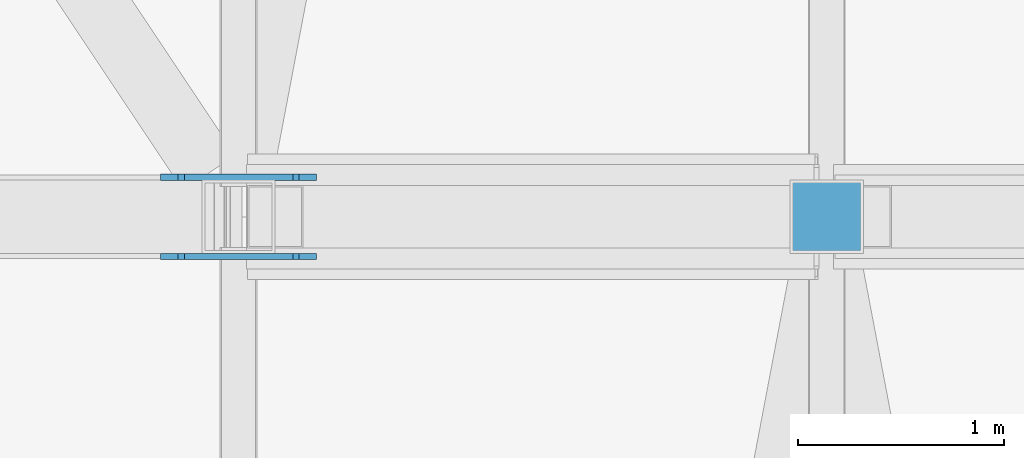
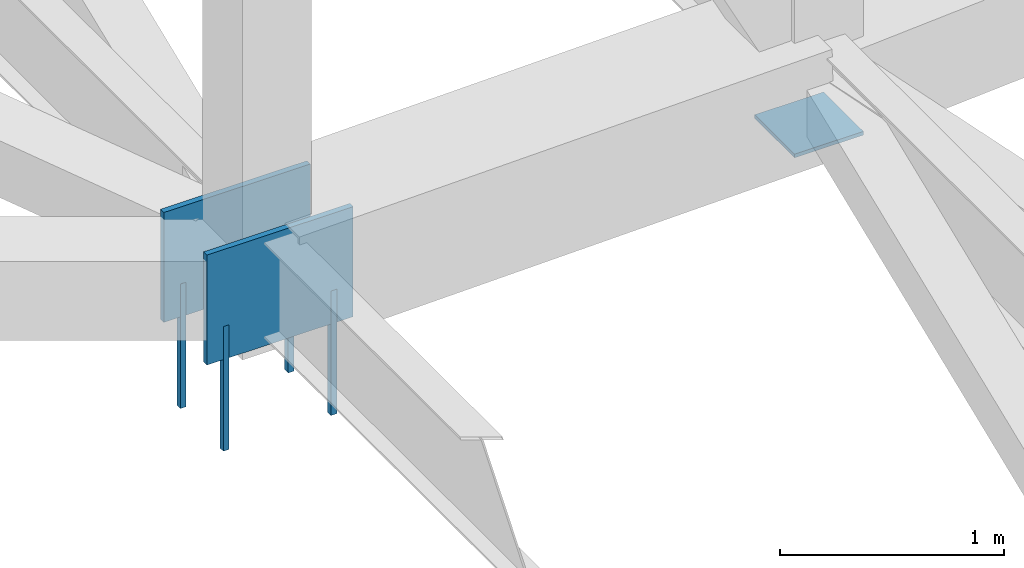
# One storey, part 165 of 278: 4 mechanical fasteners, 3 discrete accessories.
"""IFC4 building model written with IfcOpenShell, lengths in metres."""

from ifc_helpers import new_model, si_unit, direction, frame, origin, origin_2d, place, context, subcontext, project, spatial, rectangle, extrude, material, layer, layer_set, type_object, element, save


model = new_model("IFC4")

# Units and contexts
model_context = context("Model", 3, precision=1e-05, world=origin(), true_north=direction((0.0, 1.0)))
body_context = subcontext(model_context, "Body", "Model", "MODEL_VIEW")
ifc_project = project(units=[si_unit("LENGTHUNIT", "METRE"), si_unit("AREAUNIT", "SQUARE_METRE"), si_unit("VOLUMEUNIT", "CUBIC_METRE"), si_unit("PLANEANGLEUNIT", "RADIAN"), si_unit("MASSUNIT", "GRAM", prefix="KILO")], contexts=[model_context])

# Site, building, storey
site_placement = place(None, origin())
site = spatial("IfcSite", under=ifc_project, at=site_placement, CompositionType="ELEMENT")
building_placement = place(site_placement, origin())
building = spatial("IfcBuilding", under=site, at=building_placement, Name="Ogive Plaza Stadium", CompositionType="ELEMENT")
storey_placement = place(building_placement, frame((0.0, 0.0, 29.0)))
storey = spatial("IfcBuildingStorey", under=building, at=storey_placement, Name="Roof", CompositionType="ELEMENT", Elevation=29.0)

# Mechanical fasteners
ifc_material_1 = material(Name="Steel ASTM A992 Grade 50", Category="steel")
mechanical_fastener_type = type_object("IfcMechanicalFastenerType", Name="Anchor bolt M30 x 600", PredefinedType="ANCHORBOLT", material=ifc_material_1)
for number, where, z_axis, x_axis, name in (
    (1, (-74.27783203125, 7.30810546875, -0.5), (0.0, 0.0, 1.0), (-1.0, 0.0, 0.0), "ANCHOR BOLT 25 BP 1.1"),
    (2, (-73.72216796875, 7.30810546875, -0.5), (0.0, 0.0, 1.0), (-1.0, 0.0, 0.0), "ANCHOR BOLT 25 BP 1.2"),
    (3, (-74.27783203125, 7.69189453125, -0.5), (0.0, 0.0, 1.0), (-1.0, 0.0, 0.0), "ANCHOR BOLT 25 BP 2.1"),
    (4, (-73.72216796875, 7.69189453125, -0.5), (0.0, 0.0, 1.0), (-1.0, 0.0, 0.0), "ANCHOR BOLT 25 BP 2.2"),
):
    element("IfcMechanicalFastener", number, at=place(storey_placement, frame(where, z_axis=z_axis, x_axis=x_axis)), inside=storey, type_object=mechanical_fastener_type, Name=name, PredefinedType="ANCHORBOLT", context=body_context, shape_type="SweptSolid", body=[
        extrude(rectangle(XDim=0.030029296875, YDim=0.030029296875, at=origin_2d()), origin(), (0.0, 0.0, 1.0), 0.679931640625),
    ])

# Discrete accessories
ifc_material_2 = material(Name="Steel ASTM A992 Grade 50", Category="steel")
ifc_layer_1 = layer(ifc_material_2, 0.02001953125)
ifc_layer_set_1 = layer_set([ifc_layer_1], Name="Steel ASTM A992 Grade 50")
discrete_accessory_type_1 = type_object("IfcDiscreteAccessoryType", Name="Roof truss post cap plate 20", PredefinedType="ANCHORPLATE", material=ifc_layer_set_1)
discrete_accessory_placement = place(storey_placement, frame((-71.14990234375, 7.5, 0.04541015625), z_axis=(0.0, 0.0, 1.0), x_axis=(-1.0, 0.0, 0.0)))
element("IfcDiscreteAccessory", 5, at=discrete_accessory_placement, inside=storey, type_object=discrete_accessory_type_1, Name="ROOF TRUSS POST CAP PLATE 25 10", PredefinedType="ANCHORPLATE", context=body_context, shape_type="SweptSolid", body=[
    extrude(rectangle(XDim=0.355712890625, YDim=0.355712890625, at=origin_2d()), origin(), (0.0, 0.0, 1.0), 0.02001953125),
])
ifc_material_3 = material(Name="Steel ASTM A992 Grade 50", Category="steel")
ifc_layer_2 = layer(ifc_material_3, 0.030029296875)
ifc_layer_set_2 = layer_set([ifc_layer_2], Name="Steel ASTM A992 Grade 50")
discrete_accessory_type_2 = type_object("IfcDiscreteAccessoryType", Name="Truss root foot cleat plate 30", PredefinedType="ANCHORPLATE", material=ifc_layer_set_2)
for number, where, z_axis, x_axis, name in (
    (6, (-74.0, 7.30810546875, 0.0), (0.0, 0.0, 1.0), (-1.0, 0.0, 0.0), "TRUSS ROOT FOOT CLEAT PLATE 25 1"),
    (7, (-74.0, 7.69189453125, 0.0), (0.0, 0.0, 1.0), (-1.0, 0.0, 0.0), "TRUSS ROOT FOOT CLEAT PLATE 25 2"),
):
    element("IfcDiscreteAccessory", number, at=place(storey_placement, frame(where, z_axis=z_axis, x_axis=x_axis)), inside=storey, type_object=discrete_accessory_type_2, Name=name, PredefinedType="ANCHORPLATE", context=body_context, shape_type="SweptSolid", body=[
        extrude(rectangle(XDim=0.755615234375, YDim=0.030029296875, at=origin_2d()), origin(), (0.0, 0.0, 1.0), 0.60009765625),
    ])

save(model, "model.ifc")
